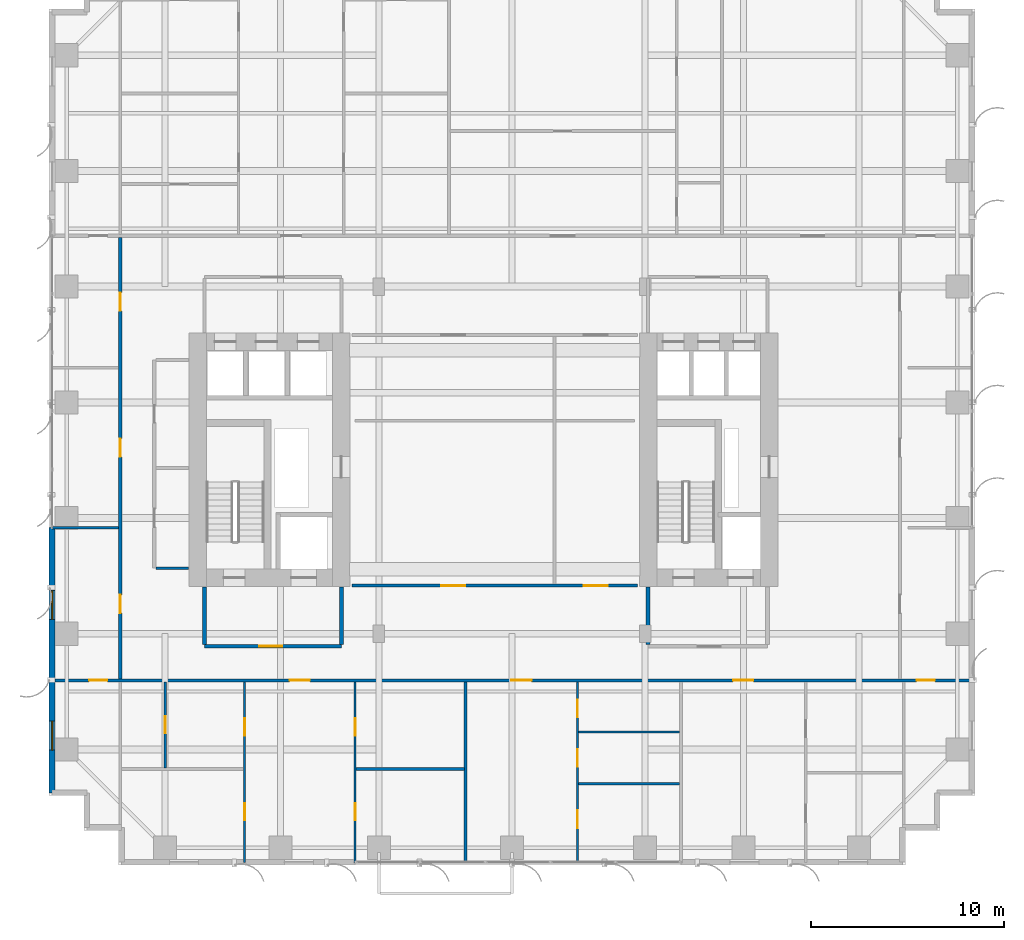
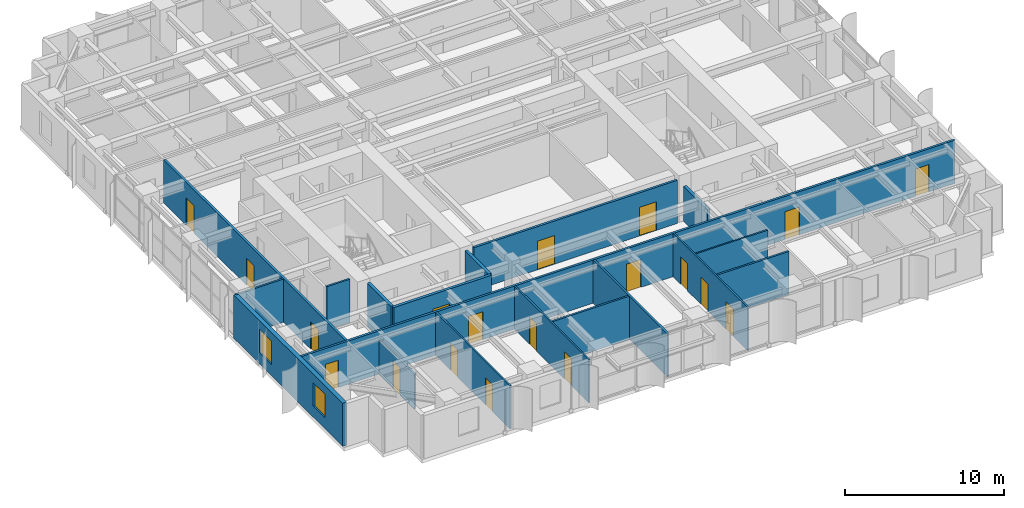
# One storey, part 17 of 25: 19 doors, 18 walls, 2 windows, 21 openings.
"""IFC4 building model written with IfcOpenShell, lengths in metres."""

from ifc_helpers import new_model, si_unit, direction, frame, frame_2d, origin, place, context, subcontext, project, spatial, rectangle, extrude, source, transform, mapped, material, layer, layer_set, type_object, element, fill, save


model = new_model("IFC4")

# Units and contexts
model_context = context("Model", 3, precision=1e-05, world=origin(), true_north=direction((0.0, 1.0)))
body_context = subcontext(model_context, "Body", "Model", "MODEL_VIEW")
ifc_project = project(units=[si_unit("LENGTHUNIT", "METRE"), si_unit("AREAUNIT", "SQUARE_METRE"), si_unit("VOLUMEUNIT", "CUBIC_METRE"), si_unit("PLANEANGLEUNIT", "RADIAN"), si_unit("MASSUNIT", "GRAM", prefix="KILO")], contexts=[model_context])

# Site, building, storey
site_placement = place(None, origin())
site = spatial("IfcSite", under=ifc_project, at=site_placement, CompositionType="ELEMENT")
building_placement = place(site_placement, origin())
building = spatial("IfcBuilding", under=site, at=building_placement, Name="Khoralis Quay Care Tower", CompositionType="ELEMENT")
storey_placement = place(building_placement, frame((0.0, 0.0, 65.699951171875)))
storey = spatial("IfcBuildingStorey", under=building, at=storey_placement, Name="L17", CompositionType="ELEMENT", Elevation=65.699951171875)

# Wall, opening, door
ifc_material_1 = material(Name="Gypsum plasterboard on acoustic metal stud")
ifc_layer_1 = layer(ifc_material_1, 0.199951171875)
ifc_layer_set_1 = layer_set([ifc_layer_1], Name="Gypsum plasterboard on acoustic metal stud")
wall_type_1 = type_object("IfcWallType", Name="WL-COMP-200", PredefinedType="PARTITIONING", material=ifc_layer_set_1)
wall_1_placement = place(storey_placement, frame((8.050048828125, 11.35009765625, 0.0), z_axis=(0.0, 0.0, 1.0), x_axis=(1.0, 0.0, 0.0)))
wall_1 = element("IfcWall", 1, at=wall_1_placement, inside=storey, type_object=wall_type_1, Name="L17 West Firefighting Lobby South Wall", PredefinedType="PARTITIONING", context=body_context, shape_type="SweptSolid", body=[
    extrude(rectangle(XDim=7.099853515625, YDim=0.199951171875, at=frame_2d((3.5498046875, 0.0))), origin(), (0.0, 0.0, 1.0), 3.320068359375),
])
opening_1_placement = place(wall_1_placement, frame((2.846435546875, 0.0, 0.0)))
opening_1 = element("IfcOpeningElement", 2, at=opening_1_placement, cuts=wall_1, Name="Opening FD1", PredefinedType="OPENING", context=body_context, shape_type="SweptSolid", body=[
    extrude(rectangle(XDim=1.199951171875, YDim=2.199951171875, at=frame_2d((0.60009765625, 1.10009765625))), frame((0.0, 0.10986328125, 0.0), z_axis=(0.0, -1.0, 0.0), x_axis=(1.0, 0.0, 0.0)), (0.0, 0.0, 1.0), 0.219970703125),
])
ifc_material_2 = material(Name="Fire-rated painted steel", Category="steel")
door_type_1 = type_object("IfcDoorType", Name="DR-FFL-1200X2200", OperationType="NOTDEFINED", PredefinedType="DOOR", material=ifc_material_2)
shared_shape_1 = source(origin(), body_context, "Body", "SweptSolid", [
    extrude(rectangle(XDim=1.199951171875, YDim=2.199951171875, at=frame_2d((0.60009765625, 1.10009765625))), frame((0.0, 0.02490234375, 0.0), z_axis=(0.0, -1.0, 0.0), x_axis=(1.0, 0.0, 0.0)), (0.0, 0.0, 1.0), 0.050048828125),
])
door_1_placement = place(opening_1_placement, origin())
door_1 = element("IfcDoor", 3, at=door_1_placement, inside=storey, type_object=door_type_1, Name="L17 West Firefighting Lobby Fire Door", OperationType="SINGLE_SWING_LEFT", OverallHeight=2.199951171875, OverallWidth=1.199951171875, PredefinedType="DOOR", context=body_context, shape_type="MappedRepresentation", body=[
    mapped(shared_shape_1, transform((0.0, 0.0, 0.0), scale=1.0)),
])
fill(opening_1, door_1)

# Walls
for number, where, z_axis, x_axis, name in (
    (4, (8.050048828125, 11.445068359375, 0.0), (0.0, 0.0, 1.0), (0.0, 1.0, 0.0), "L17 West Firefighting Lobby West Wall"),
    (5, (15.14990234375, 11.445068359375, 0.0), (0.0, 0.0, 1.0), (0.0, 1.0, 0.0), "L17 West Firefighting Lobby East Wall"),
):
    element("IfcWall", number, at=place(storey_placement, frame(where, z_axis=z_axis, x_axis=x_axis)), inside=storey, type_object=wall_type_1, Name=name, PredefinedType="PARTITIONING", context=body_context, shape_type="SweptSolid", body=[
        extrude(rectangle(XDim=2.98486328125, YDim=0.199951171875, at=frame_2d((1.492431640625, 0.0))), origin(), (0.0, 0.0, 1.0), 3.320068359375),
    ])
wall_2_placement = place(storey_placement, frame((31.050048828125, 11.445068359375, 0.0), z_axis=(0.0, 0.0, 1.0), x_axis=(0.0, 1.0, 0.0)))
element("IfcWall", 6, at=wall_2_placement, inside=storey, type_object=wall_type_1, Name="L17 East Firefighting Lobby West Wall", PredefinedType="PARTITIONING", context=body_context, shape_type="SweptSolid", body=[
    extrude(rectangle(XDim=2.98486328125, YDim=0.199951171875, at=frame_2d((1.492431640625, 0.0))), origin(), (0.0, 0.0, 1.0), 2.7041015625),
])

# Wall, openings, doors
ifc_layer_2 = layer(ifc_material_1, 0.1650390625)
ifc_layer_set_2 = layer_set([ifc_layer_2], Name="Gypsum plasterboard on acoustic metal stud")
wall_type_2 = type_object("IfcWallType", Name="WL-CORR-165", PredefinedType="PARTITIONING", material=ifc_layer_set_2)
wall_3_placement = place(storey_placement, frame((0.14501953125, 9.580078125, 0.0), z_axis=(0.0, 0.0, 1.0), x_axis=(1.0, 0.0, 0.0)))
wall_3 = element("IfcWall", 7, at=wall_3_placement, inside=storey, type_object=wall_type_2, Name="L17 South Main Corridor Wall", PredefinedType="PARTITIONING", context=body_context, shape_type="SweptSolid", body=[
    extrude(rectangle(XDim=47.7099609375, YDim=0.1650390625, at=frame_2d((23.85498046875, 0.0))), origin(), (0.0, 0.0, 1.0), 3.320068359375),
])
opening_2_placement = place(wall_3_placement, frame((12.323486328125, 0.0, 0.0)))
opening_2 = element("IfcOpeningElement", 8, at=opening_2_placement, cuts=wall_3, Name="Opening UD1", PredefinedType="OPENING", context=body_context, shape_type="SweptSolid", body=[
    extrude(rectangle(XDim=1.050048828125, YDim=2.14990234375, at=frame_2d((0.52490234375, 1.074951171875))), frame((0.0, 0.092529296875, 0.0), z_axis=(0.0, -1.0, 0.0), x_axis=(1.0, 0.0, 0.0)), (0.0, 0.0, 1.0), 0.18505859375),
])
opening_3_placement = place(wall_3_placement, frame((23.823974609375, 0.0, 0.0)))
opening_3 = element("IfcOpeningElement", 9, at=opening_3_placement, cuts=wall_3, Name="Opening UD1", PredefinedType="OPENING", context=body_context, shape_type="SweptSolid", body=[
    extrude(rectangle(XDim=1.050048828125, YDim=2.14990234375, at=frame_2d((0.52490234375, 1.074951171875))), frame((0.0, 0.092529296875, 0.0), z_axis=(0.0, -1.0, 0.0), x_axis=(1.0, 0.0, 0.0)), (0.0, 0.0, 1.0), 0.18505859375),
])
opening_4_placement = place(wall_3_placement, frame((35.326904296875, 0.0, 0.0)))
opening_4 = element("IfcOpeningElement", 10, at=opening_4_placement, cuts=wall_3, Name="Opening UD1", PredefinedType="OPENING", context=body_context, shape_type="SweptSolid", body=[
    extrude(rectangle(XDim=1.050048828125, YDim=2.14990234375, at=frame_2d((0.52490234375, 1.074951171875))), frame((0.0, 0.092529296875, 0.0), z_axis=(0.0, -1.0, 0.0), x_axis=(1.0, 0.0, 0.0)), (0.0, 0.0, 1.0), 0.18505859375),
])
opening_5_placement = place(wall_3_placement, frame((1.919921875, 0.0, 0.0)))
opening_5 = element("IfcOpeningElement", 11, at=opening_5_placement, cuts=wall_3, Name="Opening ID1", PredefinedType="OPENING", context=body_context, shape_type="SweptSolid", body=[
    extrude(rectangle(XDim=0.949951171875, YDim=2.10009765625, at=frame_2d((0.47509765625, 1.050048828125))), frame((0.0, 0.092529296875, 0.0), z_axis=(0.0, -1.0, 0.0), x_axis=(1.0, 0.0, 0.0)), (0.0, 0.0, 1.0), 0.18505859375),
])
opening_6_placement = place(wall_3_placement, frame((44.840087890625, 0.0, 0.0)))
opening_6 = element("IfcOpeningElement", 12, at=opening_6_placement, cuts=wall_3, Name="Opening ID1", PredefinedType="OPENING", context=body_context, shape_type="SweptSolid", body=[
    extrude(rectangle(XDim=0.949951171875, YDim=2.10009765625, at=frame_2d((0.47509765625, 1.050048828125))), frame((0.0, 0.092529296875, 0.0), z_axis=(0.0, -1.0, 0.0), x_axis=(1.0, 0.0, 0.0)), (0.0, 0.0, 1.0), 0.18505859375),
])
ifc_material_3 = material(Name="Acoustic hardwood timber", Category="wood")
door_type_2 = type_object("IfcDoorType", Name="DR-ROOM-950X2100", OperationType="NOTDEFINED", PredefinedType="DOOR", material=ifc_material_3)
shared_shape_2 = source(origin(), body_context, "Body", "SweptSolid", [
    extrude(rectangle(XDim=0.949951171875, YDim=2.10009765625, at=frame_2d((0.47509765625, 1.050048828125))), frame((0.0, 0.02490234375, 0.0), z_axis=(0.0, -1.0, 0.0), x_axis=(1.0, 0.0, 0.0)), (0.0, 0.0, 1.0), 0.050048828125),
])
door_2_placement = place(opening_5_placement, frame((0.949951171875, 0.0, 0.0), z_axis=(0.0, 0.0, 1.0), x_axis=(-1.0, 0.0, 0.0)))
door_2 = element("IfcDoor", 13, at=door_2_placement, inside=storey, type_object=door_type_2, Name="L17 SW Corner Door", OperationType="SINGLE_SWING_LEFT", OverallHeight=2.10009765625, OverallWidth=0.949951171875, PredefinedType="DOOR", context=body_context, shape_type="MappedRepresentation", body=[
    mapped(shared_shape_2, transform((0.0, 0.0, 0.0), scale=1.0)),
])
fill(opening_5, door_2)
door_3_placement = place(opening_6_placement, frame((0.949951171875, 0.0, 0.0), z_axis=(0.0, 0.0, 1.0), x_axis=(-1.0, 0.0, 0.0)))
door_3 = element("IfcDoor", 14, at=door_3_placement, inside=storey, type_object=door_type_2, Name="L17 SE Corner Door", OperationType="SINGLE_SWING_RIGHT", OverallHeight=2.10009765625, OverallWidth=0.949951171875, PredefinedType="DOOR", context=body_context, shape_type="MappedRepresentation", body=[
    mapped(shared_shape_2, transform((0.0, 0.0, 0.0), scale=1.0)),
])
fill(opening_6, door_3)
door_type_3 = type_object("IfcDoorType", Name="DR-SUITE-1050X2150", OperationType="NOTDEFINED", PredefinedType="DOOR", material=ifc_material_3)
shared_shape_3 = source(origin(), body_context, "Body", "SweptSolid", [
    extrude(rectangle(XDim=1.050048828125, YDim=2.14990234375, at=frame_2d((0.52490234375, 1.074951171875))), frame((0.0, 0.02490234375, 0.0), z_axis=(0.0, -1.0, 0.0), x_axis=(1.0, 0.0, 0.0)), (0.0, 0.0, 1.0), 0.050048828125),
])
door_4_placement = place(opening_2_placement, frame((1.050048828125, 0.0, 0.0), z_axis=(0.0, 0.0, 1.0), x_axis=(-1.0, 0.0, 0.0)))
door_4 = element("IfcDoor", 15, at=door_4_placement, inside=storey, type_object=door_type_3, Name="L17 2BR SB0 Entrance", OperationType="SINGLE_SWING_LEFT", OverallHeight=2.14990234375, OverallWidth=1.050048828125, PredefinedType="DOOR", context=body_context, shape_type="MappedRepresentation", body=[
    mapped(shared_shape_3, transform((0.0, 0.0, 0.0), scale=1.0)),
])
fill(opening_2, door_4)
door_5_placement = place(opening_3_placement, frame((1.050048828125, 0.0, 0.0), z_axis=(0.0, 0.0, 1.0), x_axis=(-1.0, 0.0, 0.0)))
door_5 = element("IfcDoor", 16, at=door_5_placement, inside=storey, type_object=door_type_3, Name="L17 Apartment SB1 Entrance Door", OperationType="SINGLE_SWING_RIGHT", OverallHeight=2.14990234375, OverallWidth=1.050048828125, PredefinedType="DOOR", context=body_context, shape_type="MappedRepresentation", body=[
    mapped(shared_shape_3, transform((0.0, 0.0, 0.0), scale=1.0)),
])
fill(opening_3, door_5)
door_6_placement = place(opening_4_placement, frame((1.050048828125, 0.0, 0.0), z_axis=(0.0, 0.0, 1.0), x_axis=(-1.0, 0.0, 0.0)))
door_6 = element("IfcDoor", 17, at=door_6_placement, inside=storey, type_object=door_type_3, Name="L17 Studio SB2 Entrance", OperationType="SINGLE_SWING_LEFT", OverallHeight=2.14990234375, OverallWidth=1.050048828125, PredefinedType="DOOR", context=body_context, shape_type="MappedRepresentation", body=[
    mapped(shared_shape_3, transform((0.0, 0.0, 0.0), scale=1.0)),
])
fill(opening_4, door_6)

wall_4_placement = place(storey_placement, frame((3.679931640625, 9.657470703125, 0.0), z_axis=(0.0, 0.0, 1.0), x_axis=(0.0, 1.0, 0.0)))
wall_4 = element("IfcWall", 18, at=wall_4_placement, inside=storey, type_object=wall_type_2, Name="L17 West Loop Corridor Wall", PredefinedType="PARTITIONING", context=body_context, shape_type="SweptSolid", body=[
    extrude(rectangle(XDim=22.905029296875, YDim=0.1650390625, at=frame_2d((11.45263671875, 0.0))), origin(), (0.0, 0.0, 1.0), 3.320068359375),
])
opening_7_placement = place(wall_4_placement, frame((3.407470703125, 0.0, 0.0)))
opening_7 = element("IfcOpeningElement", 19, at=opening_7_placement, cuts=wall_4, Name="Opening ID1", PredefinedType="OPENING", context=body_context, shape_type="SweptSolid", body=[
    extrude(rectangle(XDim=0.949951171875, YDim=2.10009765625, at=frame_2d((0.47509765625, 1.050048828125))), frame((0.0, 0.092529296875, 0.0), z_axis=(0.0, -1.0, 0.0), x_axis=(1.0, 0.0, 0.0)), (0.0, 0.0, 1.0), 0.18505859375),
])
opening_8_placement = place(wall_4_placement, frame((11.517578125, 0.0, 0.0)))
opening_8 = element("IfcOpeningElement", 20, at=opening_8_placement, cuts=wall_4, Name="Opening ID1", PredefinedType="OPENING", context=body_context, shape_type="SweptSolid", body=[
    extrude(rectangle(XDim=0.949951171875, YDim=2.10009765625, at=frame_2d((0.47509765625, 1.050048828125))), frame((0.0, 0.092529296875, 0.0), z_axis=(0.0, -1.0, 0.0), x_axis=(1.0, 0.0, 0.0)), (0.0, 0.0, 1.0), 0.18505859375),
])
opening_9_placement = place(wall_4_placement, frame((19.08740234375, 0.0, 0.0)))
opening_9 = element("IfcOpeningElement", 21, at=opening_9_placement, cuts=wall_4, Name="Opening ID1", PredefinedType="OPENING", context=body_context, shape_type="SweptSolid", body=[
    extrude(rectangle(XDim=0.949951171875, YDim=2.10009765625, at=frame_2d((0.47509765625, 1.050048828125))), frame((0.0, 0.092529296875, 0.0), z_axis=(0.0, -1.0, 0.0), x_axis=(1.0, 0.0, 0.0)), (0.0, 0.0, 1.0), 0.18505859375),
])
door_7_placement = place(opening_7_placement, origin())
door_7 = element("IfcDoor", 22, at=door_7_placement, inside=storey, type_object=door_type_2, Name="L17 Therapy Consultation Room Door", OperationType="SINGLE_SWING_LEFT", OverallHeight=2.10009765625, OverallWidth=0.949951171875, PredefinedType="DOOR", context=body_context, shape_type="MappedRepresentation", body=[
    mapped(shared_shape_2, transform((0.0, 0.0, 0.0), scale=1.0)),
])
fill(opening_7, door_7)
door_8_placement = place(opening_8_placement, origin())
door_8 = element("IfcDoor", 23, at=door_8_placement, inside=storey, type_object=door_type_2, Name="L17 Assisted Activity Lounge Door", OperationType="SINGLE_SWING_RIGHT", OverallHeight=2.10009765625, OverallWidth=0.949951171875, PredefinedType="DOOR", context=body_context, shape_type="MappedRepresentation", body=[
    mapped(shared_shape_2, transform((0.0, 0.0, 0.0), scale=1.0)),
])
fill(opening_8, door_8)
door_9_placement = place(opening_9_placement, origin())
door_9 = element("IfcDoor", 24, at=door_9_placement, inside=storey, type_object=door_type_2, Name="L17 Nurse Charting Office Door", OperationType="SINGLE_SWING_LEFT", OverallHeight=2.10009765625, OverallWidth=0.949951171875, PredefinedType="DOOR", context=body_context, shape_type="MappedRepresentation", body=[
    mapped(shared_shape_2, transform((0.0, 0.0, 0.0), scale=1.0)),
])
fill(opening_9, door_9)

wall_5_placement = place(storey_placement, frame((15.699951171875, 14.5, 0.0), z_axis=(0.0, 0.0, 1.0), x_axis=(1.0, 0.0, 0.0)))
wall_5 = element("IfcWall", 25, at=wall_5_placement, inside=storey, type_object=wall_type_2, Name="L17 Central Clinical South Wall", PredefinedType="PARTITIONING", context=body_context, shape_type="SweptSolid", body=[
    extrude(rectangle(XDim=14.800048828125, YDim=0.1650390625, at=frame_2d((7.39990234375, 0.0))), origin(), (0.0, 0.0, 1.0), 3.320068359375),
])
opening_10_placement = place(wall_5_placement, frame((4.625, 0.0, 0.0)))
opening_10 = element("IfcOpeningElement", 26, at=opening_10_placement, cuts=wall_5, Name="Opening CD1", PredefinedType="OPENING", context=body_context, shape_type="SweptSolid", body=[
    extrude(rectangle(XDim=1.25, YDim=2.199951171875, at=frame_2d((0.625, 1.10009765625))), frame((0.0, 0.092529296875, 0.0), z_axis=(0.0, -1.0, 0.0), x_axis=(1.0, 0.0, 0.0)), (0.0, 0.0, 1.0), 0.18505859375),
])
opening_11_placement = place(wall_5_placement, frame((12.02490234375, 0.0, 0.0)))
opening_11 = element("IfcOpeningElement", 27, at=opening_11_placement, cuts=wall_5, Name="Opening CD1", PredefinedType="OPENING", context=body_context, shape_type="SweptSolid", body=[
    extrude(rectangle(XDim=1.25, YDim=2.199951171875, at=frame_2d((0.625, 1.10009765625))), frame((0.0, 0.092529296875, 0.0), z_axis=(0.0, -1.0, 0.0), x_axis=(1.0, 0.0, 0.0)), (0.0, 0.0, 1.0), 0.18505859375),
])
door_type_4 = type_object("IfcDoorType", Name="DR-CARE-1250X2200", OperationType="NOTDEFINED", PredefinedType="DOOR", material=ifc_material_3)
shared_shape_4 = source(origin(), body_context, "Body", "SweptSolid", [
    extrude(rectangle(XDim=1.25, YDim=2.199951171875, at=frame_2d((0.625, 1.10009765625))), frame((0.0, 0.02490234375, 0.0), z_axis=(0.0, -1.0, 0.0), x_axis=(1.0, 0.0, 0.0)), (0.0, 0.0, 1.0), 0.050048828125),
])
door_10_placement = place(opening_10_placement, origin())
door_10 = element("IfcDoor", 28, at=door_10_placement, inside=storey, type_object=door_type_4, Name="L17 Nurse Station Door", OperationType="SINGLE_SWING_LEFT", OverallHeight=2.199951171875, OverallWidth=1.25, PredefinedType="DOOR", context=body_context, shape_type="MappedRepresentation", body=[
    mapped(shared_shape_4, transform((0.0, 0.0, 0.0), scale=1.0)),
])
fill(opening_10, door_10)
door_11_placement = place(opening_11_placement, origin())
door_11 = element("IfcDoor", 29, at=door_11_placement, inside=storey, type_object=door_type_4, Name="L17 Treatment Clinic Door", OperationType="SINGLE_SWING_RIGHT", OverallHeight=2.199951171875, OverallWidth=1.25, PredefinedType="DOOR", context=body_context, shape_type="MappedRepresentation", body=[
    mapped(shared_shape_4, transform((0.0, 0.0, 0.0), scale=1.0)),
])
fill(opening_11, door_11)

# Wall, openings, windows
ifc_material_4 = material(Name="Precast concrete C45/55", Category="concrete")
ifc_layer_3 = layer(ifc_material_4, 0.300048828125)
ifc_layer_set_3 = layer_set([ifc_layer_3], Name="Precast concrete C45/55")
wall_type_3 = type_object("IfcWallType", Name="WL-EXT-REF-300", PredefinedType="SOLIDWALL", material=ifc_layer_set_3)
wall_6_placement = place(storey_placement, frame((0.14990234375, 17.5, 0.0), z_axis=(0.0, 0.0, 1.0), x_axis=(0.0, -1.0, 0.0)))
wall_6 = element("IfcWall", 30, at=wall_6_placement, inside=storey, type_object=wall_type_3, Name="L17 External Facade Wall WL-EXT-L17-P1-E15B", PredefinedType="SOLIDWALL", context=body_context, shape_type="SweptSolid", body=[
    extrude(rectangle(XDim=13.75, YDim=0.300048828125, at=frame_2d((6.875, 0.0))), origin(), (0.0, 0.0, 1.0), 3.320068359375),
])
opening_12_placement = place(wall_6_placement, frame((3.260009765625, 0.0, 0.85009765625)))
opening_12 = element("IfcOpeningElement", 31, at=opening_12_placement, cuts=wall_6, Name="Opening W3", PredefinedType="OPENING", context=body_context, shape_type="SweptSolid", body=[
    extrude(rectangle(XDim=1.5, YDim=1.800048828125, at=frame_2d((0.75, 0.89990234375))), frame((0.0, 0.16015625, 0.0), z_axis=(0.0, -1.0, 0.0), x_axis=(1.0, 0.0, 0.0)), (0.0, 0.0, 1.0), 0.320068359375),
])
opening_13_placement = place(wall_6_placement, frame((10.034912109375, 0.0, 0.85009765625)))
opening_13 = element("IfcOpeningElement", 32, at=opening_13_placement, cuts=wall_6, Name="Opening W3", PredefinedType="OPENING", context=body_context, shape_type="SweptSolid", body=[
    extrude(rectangle(XDim=1.5, YDim=1.800048828125, at=frame_2d((0.75, 0.89990234375))), frame((0.0, 0.16015625, 0.0), z_axis=(0.0, -1.0, 0.0), x_axis=(1.0, 0.0, 0.0)), (0.0, 0.0, 1.0), 0.320068359375),
])
ifc_material_5 = material(Name="Low-E solar-control double glazing", Category="glass")
window_type = type_object("IfcWindowType", Name="WN-CLIN-1500X1800", PartitioningType="SINGLE_PANEL", PredefinedType="WINDOW", material=ifc_material_5)
shared_shape_5 = source(origin(), body_context, "Body", "SweptSolid", [
    extrude(rectangle(XDim=1.5, YDim=1.800048828125, at=frame_2d((0.75, 0.89990234375))), frame((0.0, 0.030029296875, 0.0), z_axis=(0.0, -1.0, 0.0), x_axis=(1.0, 0.0, 0.0)), (0.0, 0.0, 1.0), 0.06005859375),
])
window_1_placement = place(opening_12_placement, origin())
window_1 = element("IfcWindow", 33, at=window_1_placement, inside=storey, type_object=window_type, Name="WN-L17-P1-E15B Facade Window 01", OverallHeight=1.800048828125, OverallWidth=1.5, PartitioningType="SINGLE_PANEL", PredefinedType="WINDOW", context=body_context, shape_type="MappedRepresentation", body=[
    mapped(shared_shape_5, transform((0.0, 0.0, 0.0), scale=1.0)),
])
fill(opening_12, window_1)
window_2_placement = place(opening_13_placement, origin())
window_2 = element("IfcWindow", 34, at=window_2_placement, inside=storey, type_object=window_type, Name="WN-L17-P1-E15B Facade Window 02", OverallHeight=1.800048828125, OverallWidth=1.5, PartitioningType="SINGLE_PANEL", PredefinedType="WINDOW", context=body_context, shape_type="MappedRepresentation", body=[
    mapped(shared_shape_5, transform((0.0, 0.0, 0.0), scale=1.0)),
])
fill(opening_13, window_2)

# Wall, openings, doors
ifc_layer_4 = layer(ifc_material_1, 0.114990234375)
ifc_layer_set_4 = layer_set([ifc_layer_4], Name="Gypsum plasterboard on acoustic metal stud")
wall_type_4 = type_object("IfcWallType", Name="WL-PART-115", PredefinedType="PARTITIONING", material=ifc_layer_set_4)
wall_7_placement = place(storey_placement, frame((10.1279296875, 0.14501953125, 0.0), z_axis=(0.0, 0.0, 1.0), x_axis=(0.0, 1.0, 0.0)))
wall_7 = element("IfcWall", 35, at=wall_7_placement, inside=storey, type_object=wall_type_4, Name="L17 2BR 0 Left Wall", PredefinedType="PARTITIONING", context=body_context, shape_type="SweptSolid", body=[
    extrude(rectangle(XDim=9.357421875, YDim=0.114990234375, at=frame_2d((4.6787109375, 0.0))), origin(), (0.0, 0.0, 1.0), 3.320068359375),
])
opening_14_placement = place(wall_7_placement, frame((2.1708984375, 0.0, 0.0)))
opening_14 = element("IfcOpeningElement", 36, at=opening_14_placement, cuts=wall_7, Name="Opening WD1", PredefinedType="OPENING", context=body_context, shape_type="SweptSolid", body=[
    extrude(rectangle(XDim=0.89990234375, YDim=2.10009765625, at=frame_2d((0.449951171875, 1.050048828125))), frame((0.0, 0.0673828125, 0.0), z_axis=(0.0, -1.0, 0.0), x_axis=(1.0, 0.0, 0.0)), (0.0, 0.0, 1.0), 0.135009765625),
])
opening_15_placement = place(wall_7_placement, frame((6.571044921875, 0.0, 0.0)))
opening_15 = element("IfcOpeningElement", 37, at=opening_15_placement, cuts=wall_7, Name="Opening WD1", PredefinedType="OPENING", context=body_context, shape_type="SweptSolid", body=[
    extrude(rectangle(XDim=0.89990234375, YDim=2.10009765625, at=frame_2d((0.449951171875, 1.050048828125))), frame((0.0, 0.0673828125, 0.0), z_axis=(0.0, -1.0, 0.0), x_axis=(1.0, 0.0, 0.0)), (0.0, 0.0, 1.0), 0.135009765625),
])
door_type_5 = type_object("IfcDoorType", Name="DR-BATH-900X2100", OperationType="NOTDEFINED", PredefinedType="DOOR", material=ifc_material_3)
shared_shape_6 = source(origin(), body_context, "Body", "SweptSolid", [
    extrude(rectangle(XDim=0.89990234375, YDim=2.10009765625, at=frame_2d((0.449951171875, 1.050048828125))), frame((0.0, 0.02490234375, 0.0), z_axis=(0.0, -1.0, 0.0), x_axis=(1.0, 0.0, 0.0)), (0.0, 0.0, 1.0), 0.050048828125),
])
door_12_placement = place(opening_14_placement, origin())
door_12 = element("IfcDoor", 38, at=door_12_placement, inside=storey, type_object=door_type_5, Name="L17 2BR BD1 Door", OperationType="SINGLE_SWING_RIGHT", OverallHeight=2.10009765625, OverallWidth=0.89990234375, PredefinedType="DOOR", context=body_context, shape_type="MappedRepresentation", body=[
    mapped(shared_shape_6, transform((0.0, 0.0, 0.0), scale=1.0)),
])
fill(opening_14, door_12)
door_13_placement = place(opening_15_placement, origin())
door_13 = element("IfcDoor", 39, at=door_13_placement, inside=storey, type_object=door_type_5, Name="L17 2BR BTH Door", OperationType="SINGLE_SWING_LEFT", OverallHeight=2.10009765625, OverallWidth=0.89990234375, PredefinedType="DOOR", context=body_context, shape_type="MappedRepresentation", body=[
    mapped(shared_shape_6, transform((0.0, 0.0, 0.0), scale=1.0)),
])
fill(opening_15, door_13)

wall_8_placement = place(storey_placement, frame((15.85888671875, 0.14501953125, 0.0), z_axis=(0.0, 0.0, 1.0), x_axis=(0.0, 1.0, 0.0)))
wall_8 = element("IfcWall", 40, at=wall_8_placement, inside=storey, type_object=wall_type_4, Name="L17 2BR 0 Right Wall", PredefinedType="PARTITIONING", context=body_context, shape_type="SweptSolid", body=[
    extrude(rectangle(XDim=9.357421875, YDim=0.114990234375, at=frame_2d((4.6787109375, 0.0))), origin(), (0.0, 0.0, 1.0), 3.320068359375),
])
opening_16_placement = place(wall_8_placement, frame((2.1708984375, 0.0, 0.0)))
opening_16 = element("IfcOpeningElement", 41, at=opening_16_placement, cuts=wall_8, Name="Opening WD1", PredefinedType="OPENING", context=body_context, shape_type="SweptSolid", body=[
    extrude(rectangle(XDim=0.89990234375, YDim=2.10009765625, at=frame_2d((0.449951171875, 1.050048828125))), frame((0.0, 0.0673828125, 0.0), z_axis=(0.0, -1.0, 0.0), x_axis=(1.0, 0.0, 0.0)), (0.0, 0.0, 1.0), 0.135009765625),
])
opening_17_placement = place(wall_8_placement, frame((6.571044921875, 0.0, 0.0)))
opening_17 = element("IfcOpeningElement", 42, at=opening_17_placement, cuts=wall_8, Name="Opening WD1", PredefinedType="OPENING", context=body_context, shape_type="SweptSolid", body=[
    extrude(rectangle(XDim=0.89990234375, YDim=2.10009765625, at=frame_2d((0.449951171875, 1.050048828125))), frame((0.0, 0.0673828125, 0.0), z_axis=(0.0, -1.0, 0.0), x_axis=(1.0, 0.0, 0.0)), (0.0, 0.0, 1.0), 0.135009765625),
])
door_14_placement = place(opening_16_placement, frame((0.89990234375, 0.0, 0.0), z_axis=(0.0, 0.0, 1.0), x_axis=(-1.0, 0.0, 0.0)))
door_14 = element("IfcDoor", 43, at=door_14_placement, inside=storey, type_object=door_type_5, Name="L17 2BR BD2 Door", OperationType="SINGLE_SWING_RIGHT", OverallHeight=2.10009765625, OverallWidth=0.89990234375, PredefinedType="DOOR", context=body_context, shape_type="MappedRepresentation", body=[
    mapped(shared_shape_6, transform((0.0, 0.0, 0.0), scale=1.0)),
])
fill(opening_16, door_14)
door_15_placement = place(opening_17_placement, frame((0.89990234375, 0.0, 0.0), z_axis=(0.0, 0.0, 1.0), x_axis=(-1.0, 0.0, 0.0)))
door_15 = element("IfcDoor", 44, at=door_15_placement, inside=storey, type_object=door_type_5, Name="L17 2BR KIT Door", OperationType="SINGLE_SWING_LEFT", OverallHeight=2.10009765625, OverallWidth=0.89990234375, PredefinedType="DOOR", context=body_context, shape_type="MappedRepresentation", body=[
    mapped(shared_shape_6, transform((0.0, 0.0, 0.0), scale=1.0)),
])
fill(opening_17, door_15)

wall_9_placement = place(storey_placement, frame((27.39794921875, 0.14501953125, 0.0), z_axis=(0.0, 0.0, 1.0), x_axis=(0.0, 1.0, 0.0)))
wall_9 = element("IfcWall", 45, at=wall_9_placement, inside=storey, type_object=wall_type_4, Name="L17 Unit 1 Internal Wall", PredefinedType="PARTITIONING", context=body_context, shape_type="SweptSolid", body=[
    extrude(rectangle(XDim=9.357421875, YDim=0.114990234375, at=frame_2d((4.6787109375, 0.0))), origin(), (0.0, 0.0, 1.0), 3.320068359375),
])
opening_18_placement = place(wall_9_placement, frame((1.762451171875, 0.0, 0.0)))
opening_18 = element("IfcOpeningElement", 46, at=opening_18_placement, cuts=wall_9, Name="Opening ID1", PredefinedType="OPENING", context=body_context, shape_type="SweptSolid", body=[
    extrude(rectangle(XDim=0.949951171875, YDim=2.10009765625, at=frame_2d((0.47509765625, 1.050048828125))), frame((0.0, 0.0673828125, 0.0), z_axis=(0.0, -1.0, 0.0), x_axis=(1.0, 0.0, 0.0)), (0.0, 0.0, 1.0), 0.135009765625),
])
opening_19_placement = place(wall_9_placement, frame((4.9609375, 0.0, 0.0)))
opening_19 = element("IfcOpeningElement", 47, at=opening_19_placement, cuts=wall_9, Name="Opening WD1", PredefinedType="OPENING", context=body_context, shape_type="SweptSolid", body=[
    extrude(rectangle(XDim=0.89990234375, YDim=2.10009765625, at=frame_2d((0.449951171875, 1.050048828125))), frame((0.0, 0.0673828125, 0.0), z_axis=(0.0, -1.0, 0.0), x_axis=(1.0, 0.0, 0.0)), (0.0, 0.0, 1.0), 0.135009765625),
])
opening_20_placement = place(wall_9_placement, frame((7.528564453125, 0.0, 0.0)))
opening_20 = element("IfcOpeningElement", 48, at=opening_20_placement, cuts=wall_9, Name="Opening WD1", PredefinedType="OPENING", context=body_context, shape_type="SweptSolid", body=[
    extrude(rectangle(XDim=0.89990234375, YDim=2.10009765625, at=frame_2d((0.449951171875, 1.050048828125))), frame((0.0, 0.0673828125, 0.0), z_axis=(0.0, -1.0, 0.0), x_axis=(1.0, 0.0, 0.0)), (0.0, 0.0, 1.0), 0.135009765625),
])
door_16_placement = place(opening_19_placement, frame((0.89990234375, 0.0, 0.0), z_axis=(0.0, 0.0, 1.0), x_axis=(-1.0, 0.0, 0.0)))
door_16 = element("IfcDoor", 49, at=door_16_placement, inside=storey, type_object=door_type_5, Name="L17 Apartment SB1 KIT Door", OperationType="SINGLE_SWING_RIGHT", OverallHeight=2.10009765625, OverallWidth=0.89990234375, PredefinedType="DOOR", context=body_context, shape_type="MappedRepresentation", body=[
    mapped(shared_shape_6, transform((0.0, 0.0, 0.0), scale=1.0)),
])
fill(opening_19, door_16)
door_17_placement = place(opening_20_placement, frame((0.89990234375, 0.0, 0.0), z_axis=(0.0, 0.0, 1.0), x_axis=(-1.0, 0.0, 0.0)))
door_17 = element("IfcDoor", 50, at=door_17_placement, inside=storey, type_object=door_type_5, Name="L17 Apartment SB1 BTH Door", OperationType="SINGLE_SWING_LEFT", OverallHeight=2.10009765625, OverallWidth=0.89990234375, PredefinedType="DOOR", context=body_context, shape_type="MappedRepresentation", body=[
    mapped(shared_shape_6, transform((0.0, 0.0, 0.0), scale=1.0)),
])
fill(opening_20, door_17)
door_18_placement = place(opening_18_placement, frame((0.949951171875, 0.0, 0.0), z_axis=(0.0, 0.0, 1.0), x_axis=(-1.0, 0.0, 0.0)))
door_18 = element("IfcDoor", 51, at=door_18_placement, inside=storey, type_object=door_type_2, Name="L17 Apartment SB1 BED Door", OperationType="SINGLE_SWING_LEFT", OverallHeight=2.10009765625, OverallWidth=0.949951171875, PredefinedType="DOOR", context=body_context, shape_type="MappedRepresentation", body=[
    mapped(shared_shape_2, transform((0.0, 0.0, 0.0), scale=1.0)),
])
fill(opening_18, door_18)

# Walls
wall_10_placement = place(storey_placement, frame((27.450439453125, 6.89697265625, 0.0), z_axis=(0.0, 0.0, 1.0), x_axis=(1.0, 0.0, 0.0)))
element("IfcWall", 52, at=wall_10_placement, inside=storey, type_object=wall_type_4, Name="L17 Unit 1 Kitchen Wall", PredefinedType="PARTITIONING", context=body_context, shape_type="SweptSolid", body=[
    extrude(rectangle(XDim=5.24462890625, YDim=0.114990234375, at=frame_2d((2.622314453125, 0.0))), origin(), (0.0, 0.0, 1.0), 3.320068359375),
])
ifc_material_6 = material(Name="Moisture-resistant gypsum and ceramic tile")
ifc_layer_5 = layer(ifc_material_6, 0.280029296875)
ifc_layer_set_5 = layer_set([ifc_layer_5], Name="Moisture-resistant gypsum and ceramic tile")
wall_type_5 = type_object("IfcWallType", Name="WL-PLUMB-280", PredefinedType="PLUMBINGWALL", material=ifc_layer_set_5)
wall_11_placement = place(storey_placement, frame((15.91162109375, 4.98193359375, 0.0), z_axis=(0.0, 0.0, 1.0), x_axis=(1.0, 0.0, 0.0)))
element("IfcWall", 53, at=wall_11_placement, inside=storey, type_object=wall_type_5, Name="L17 2BR 0 Right Split", PredefinedType="PLUMBINGWALL", context=body_context, shape_type="SweptSolid", body=[
    extrude(rectangle(XDim=5.61328125, YDim=0.139892578125, at=frame_2d((2.806640625, 0.0))), origin(), (0.0, 0.0, 1.0), 3.320068359375),
])
wall_12_placement = place(storey_placement, frame((27.450439453125, 4.215087890625, 0.0), z_axis=(0.0, 0.0, 1.0), x_axis=(1.0, 0.0, 0.0)))
element("IfcWall", 54, at=wall_12_placement, inside=storey, type_object=wall_type_5, Name="L17 Unit 1 Wet Wall", PredefinedType="PLUMBINGWALL", context=body_context, shape_type="SweptSolid", body=[
    extrude(rectangle(XDim=5.24462890625, YDim=0.139892578125, at=frame_2d((2.622314453125, 0.0))), origin(), (0.0, 0.0, 1.0), 3.320068359375),
])
ifc_layer_6 = layer(ifc_material_1, 0.139892578125)
ifc_layer_set_6 = layer_set([ifc_layer_6], Name="Gypsum plasterboard on acoustic metal stud")
wall_type_6 = type_object("IfcWallType", Name="WL-UNIT-140", PredefinedType="PARTITIONING", material=ifc_layer_set_6)
wall_13_placement = place(storey_placement, frame((5.527587890625, 15.39990234375, 0.0), z_axis=(0.0, 0.0, 1.0), x_axis=(1.0, 0.0, 0.0)))
element("IfcWall", 55, at=wall_13_placement, inside=storey, type_object=wall_type_6, Name="L17 West Flank South Cap", PredefinedType="PARTITIONING", context=body_context, shape_type="SweptSolid", body=[
    extrude(rectangle(XDim=1.682373046875, YDim=0.139892578125, at=frame_2d((0.84130859375, 0.0))), origin(), (0.0, 0.0, 1.0), 3.320068359375),
])
wall_14_placement = place(storey_placement, frame((0.14501953125, 17.5, 0.0), z_axis=(0.0, 0.0, 1.0), x_axis=(1.0, 0.0, 0.0)))
element("IfcWall", 56, at=wall_14_placement, inside=storey, type_object=wall_type_6, Name="L17 WW Divider 1", PredefinedType="PARTITIONING", context=body_context, shape_type="SweptSolid", body=[
    extrude(rectangle(XDim=3.45751953125, YDim=0.139892578125, at=frame_2d((1.728759765625, 0.0))), origin(), (0.0, 0.0, 1.0), 3.320068359375),
])
wall_15_placement = place(storey_placement, frame((21.590087890625, 0.14501953125, 0.0), z_axis=(0.0, 0.0, 1.0), x_axis=(0.0, 1.0, 0.0)))
element("IfcWall", 57, at=wall_15_placement, inside=storey, type_object=wall_type_6, Name="L17 SB Demising Wall 1", PredefinedType="PARTITIONING", context=body_context, shape_type="SweptSolid", body=[
    extrude(rectangle(XDim=9.357421875, YDim=0.139892578125, at=frame_2d((4.6787109375, 0.0))), origin(), (0.0, 0.0, 1.0), 3.320068359375),
])

# Wall, opening, door
wall_16_placement = place(storey_placement, frame((6.02001953125, 5.047119140625, 0.0), z_axis=(0.0, 0.0, 1.0), x_axis=(0.0, 1.0, 0.0)))
wall_16 = element("IfcWall", 58, at=wall_16_placement, inside=storey, type_object=wall_type_6, Name="Family Apartment Bathroom L17-SB0 Sub-Partition", PredefinedType="PARTITIONING", context=body_context, shape_type="SweptSolid", body=[
    extrude(rectangle(XDim=4.455322265625, YDim=0.139892578125, at=frame_2d((2.2275390625, 0.0))), origin(), (0.0, 0.0, 1.0), 2.7041015625),
])
opening_21_placement = place(wall_16_placement, frame((1.783935546875, 0.0, 0.0)))
opening_21 = element("IfcOpeningElement", 59, at=opening_21_placement, cuts=wall_16, Name="Opening WD1", PredefinedType="OPENING", context=body_context, shape_type="SweptSolid", body=[
    extrude(rectangle(XDim=0.89990234375, YDim=2.10009765625, at=frame_2d((0.449951171875, 1.050048828125))), frame((0.0, 0.080078125, 0.0), z_axis=(0.0, -1.0, 0.0), x_axis=(1.0, 0.0, 0.0)), (0.0, 0.0, 1.0), 0.159912109375),
])
door_19_placement = place(opening_21_placement, origin())
door_19 = element("IfcDoor", 60, at=door_19_placement, inside=storey, type_object=door_type_5, Name="Linen & Utility Closet BTH0 Door", OperationType="SINGLE_SWING_LEFT", OverallHeight=2.10009765625, OverallWidth=0.89990234375, PredefinedType="DOOR", context=body_context, shape_type="MappedRepresentation", body=[
    mapped(shared_shape_6, transform((0.0, 0.0, 0.0), scale=1.0)),
])
fill(opening_21, door_19)

save(model, "model.ifc")
